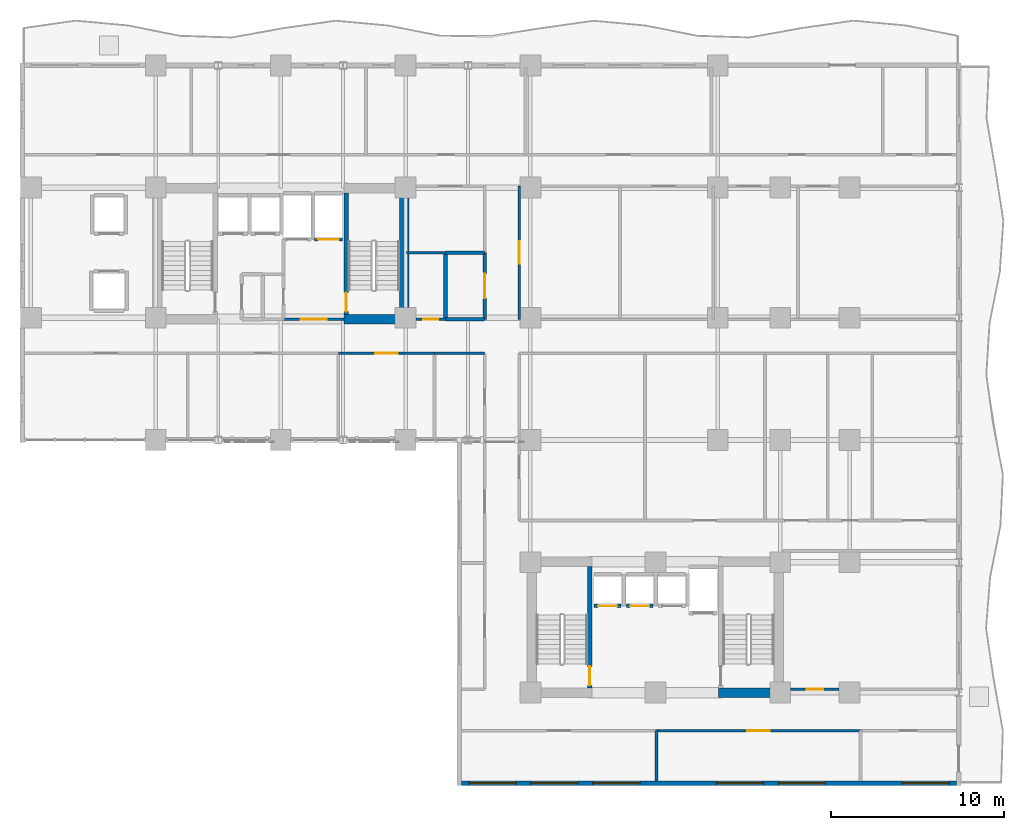
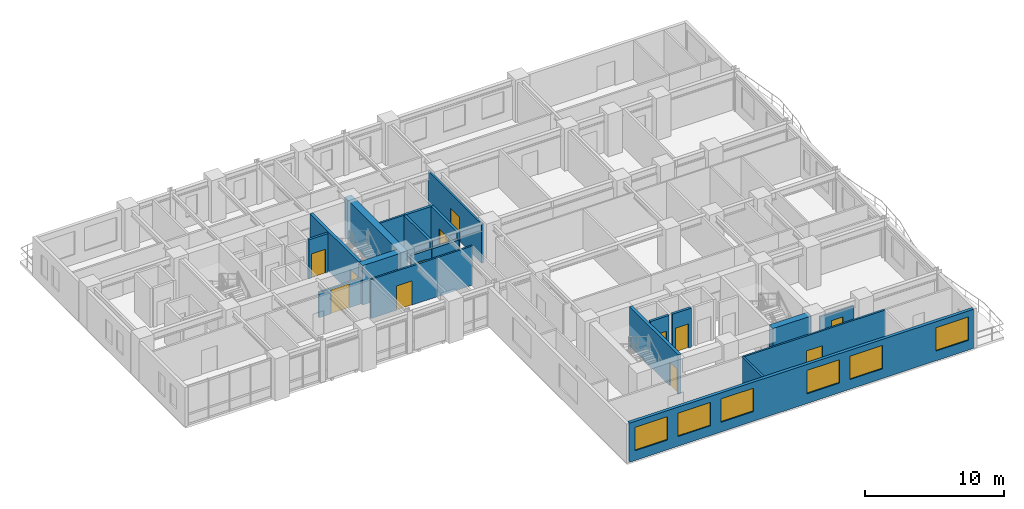
# One storey, part 9 of 16: 22 walls, 12 doors, 6 windows, 18 openings.
"""IFC4 building model written with IfcOpenShell, lengths in metres."""

from ifc_helpers import new_model, si_unit, direction, frame, frame_2d, origin, place, context, subcontext, project, spatial, rectangle, extrude, material, layer, layer_set, type_object, element, fill, save


model = new_model("IFC4")

# Units and contexts
model_context = context("Model", 3, precision=1e-05, world=origin(), true_north=direction((0.0, 1.0)))
body_context = subcontext(model_context, "Body", "Model", "MODEL_VIEW")
ifc_project = project(units=[si_unit("LENGTHUNIT", "METRE"), si_unit("AREAUNIT", "SQUARE_METRE"), si_unit("VOLUMEUNIT", "CUBIC_METRE"), si_unit("PLANEANGLEUNIT", "RADIAN"), si_unit("MASSUNIT", "GRAM", prefix="KILO")], contexts=[model_context])

# Site, building, storey
site_placement = place(None, origin())
site = spatial("IfcSite", under=ifc_project, at=site_placement, CompositionType="ELEMENT")
building_placement = place(site_placement, origin())
building = spatial("IfcBuilding", under=site, at=building_placement, Name="Kaliganga Portal Commons", CompositionType="ELEMENT")
storey_placement = place(building_placement, frame((0.0, 0.0, 82.300048828125)))
storey = spatial("IfcBuildingStorey", under=building, at=storey_placement, Name="L20", CompositionType="ELEMENT", Elevation=82.300048828125)

# Walls
ifc_material_1 = material(Name="Concrete C60/75", Category="concrete")
ifc_layer_1 = layer(ifc_material_1, 0.550048828125)
ifc_layer_set_1 = layer_set([ifc_layer_1], Name="Concrete C60/75")
wall_type_1 = type_object("IfcWallType", Name="WL-CORE-550", PredefinedType="SHEAR", material=ifc_layer_set_1)
wall_1_placement = place(storey_placement, frame((28.72509765625, 28.300048828125, 0.0), z_axis=(0.0, 0.0, 1.0), x_axis=(0.0, 1.0, 0.0)))
element("IfcWall", 1, at=wall_1_placement, inside=storey, type_object=wall_type_1, Name="Core A East Shear Wall L20", PredefinedType="SHEAR", context=body_context, shape_type="SweptSolid", body=[
    extrude(rectangle(XDim=8.099853515625, YDim=0.550048828125, at=frame_2d((4.0498046875, 0.0))), origin(), (0.0, 0.0, 1.0), 3.449951171875),
])
for number, where, z_axis, x_axis, name in (
    (2, (25.25, 28.574951171875, 0.0), (0.0, 0.0, 1.0), (1.0, 0.0, 0.0), "Core A S-East Shear Wall L20"),
    (3, (46.85009765625, 7.02490234375, 0.0), (0.0, 0.0, 1.0), (1.0, 0.0, 0.0), "Core B S-East Shear Wall L20"),
):
    element("IfcWall", number, at=place(storey_placement, frame(where, z_axis=z_axis, x_axis=x_axis)), inside=storey, type_object=wall_type_1, Name=name, PredefinedType="SHEAR", context=body_context, shape_type="SweptSolid", body=[
        extrude(rectangle(XDim=3.199951171875, YDim=0.550048828125, at=frame_2d((1.60009765625, 0.0))), origin(), (0.0, 0.0, 1.0), 3.449951171875),
    ])

# Wall, openings, windows
ifc_material_2 = material(Name="Insulated Aluminium-Clad Spandrel Assembly", Category="aluminium")
ifc_layer_2 = layer(ifc_material_2, 0.260009765625)
ifc_layer_set_2 = layer_set([ifc_layer_2], Name="Insulated Aluminium-Clad Spandrel Assembly")
wall_type_2 = type_object("IfcWallType", Name="WL-EXT-SPAND-260", PredefinedType="STANDARD", material=ifc_layer_set_2)
wall_2_placement = place(storey_placement, frame((60.56494140625, 1.800048828125, 0.0), z_axis=(0.0, 0.0, 1.0), x_axis=(-1.0, 0.0, 0.0)))
wall_2 = element("IfcWall", 4, at=wall_2_placement, inside=storey, type_object=wall_type_2, Name="Exterior Envelope Wall L20 P1-E00-S1", PredefinedType="STANDARD", context=body_context, shape_type="SweptSolid", body=[
    extrude(rectangle(XDim=28.530029296875, YDim=0.260009765625, at=frame_2d((14.26513671875, 0.0))), origin(), (0.0, 0.0, 1.0), 3.429931640625),
])
opening_1_placement = place(wall_2_placement, frame((0.43310546875, 0.0, 0.85009765625)))
opening_1 = element("IfcOpeningElement", 5, at=opening_1_placement, cuts=wall_2, Name="Opening W-07", PredefinedType="OPENING", context=body_context, shape_type="SweptSolid", body=[
    extrude(rectangle(XDim=2.699951171875, YDim=2.050048828125, at=frame_2d((1.35009765625, 1.02490234375))), frame((0.0, 0.14013671875, 0.0), z_axis=(0.0, -1.0, 0.0), x_axis=(1.0, 0.0, 0.0)), (0.0, 0.0, 1.0), 0.280029296875),
])
opening_2_placement = place(wall_2_placement, frame((7.565673828125, 0.0, 0.85009765625)))
opening_2 = element("IfcOpeningElement", 6, at=opening_2_placement, cuts=wall_2, Name="Opening W-07", PredefinedType="OPENING", context=body_context, shape_type="SweptSolid", body=[
    extrude(rectangle(XDim=2.699951171875, YDim=2.050048828125, at=frame_2d((1.35009765625, 1.02490234375))), frame((0.0, 0.14013671875, 0.0), z_axis=(0.0, -1.0, 0.0), x_axis=(1.0, 0.0, 0.0)), (0.0, 0.0, 1.0), 0.280029296875),
])
opening_3_placement = place(wall_2_placement, frame((11.1318359375, 0.0, 0.85009765625)))
opening_3 = element("IfcOpeningElement", 7, at=opening_3_placement, cuts=wall_2, Name="Opening W-07", PredefinedType="OPENING", context=body_context, shape_type="SweptSolid", body=[
    extrude(rectangle(XDim=2.699951171875, YDim=2.050048828125, at=frame_2d((1.35009765625, 1.02490234375))), frame((0.0, 0.14013671875, 0.0), z_axis=(0.0, -1.0, 0.0), x_axis=(1.0, 0.0, 0.0)), (0.0, 0.0, 1.0), 0.280029296875),
])
opening_4_placement = place(wall_2_placement, frame((18.264404296875, 0.0, 0.85009765625)))
opening_4 = element("IfcOpeningElement", 8, at=opening_4_placement, cuts=wall_2, Name="Opening W-07", PredefinedType="OPENING", context=body_context, shape_type="SweptSolid", body=[
    extrude(rectangle(XDim=2.699951171875, YDim=2.050048828125, at=frame_2d((1.35009765625, 1.02490234375))), frame((0.0, 0.14013671875, 0.0), z_axis=(0.0, -1.0, 0.0), x_axis=(1.0, 0.0, 0.0)), (0.0, 0.0, 1.0), 0.280029296875),
])
opening_5_placement = place(wall_2_placement, frame((21.83056640625, 0.0, 0.85009765625)))
opening_5 = element("IfcOpeningElement", 9, at=opening_5_placement, cuts=wall_2, Name="Opening W-07", PredefinedType="OPENING", context=body_context, shape_type="SweptSolid", body=[
    extrude(rectangle(XDim=2.699951171875, YDim=2.050048828125, at=frame_2d((1.35009765625, 1.02490234375))), frame((0.0, 0.14013671875, 0.0), z_axis=(0.0, -1.0, 0.0), x_axis=(1.0, 0.0, 0.0)), (0.0, 0.0, 1.0), 0.280029296875),
])
opening_6_placement = place(wall_2_placement, frame((25.39697265625, 0.0, 0.85009765625)))
opening_6 = element("IfcOpeningElement", 10, at=opening_6_placement, cuts=wall_2, Name="Opening W-07", PredefinedType="OPENING", context=body_context, shape_type="SweptSolid", body=[
    extrude(rectangle(XDim=2.699951171875, YDim=2.050048828125, at=frame_2d((1.35009765625, 1.02490234375))), frame((0.0, 0.14013671875, 0.0), z_axis=(0.0, -1.0, 0.0), x_axis=(1.0, 0.0, 0.0)), (0.0, 0.0, 1.0), 0.280029296875),
])
ifc_material_3 = material(Name="Thermally Broken Aluminium and Low-E Double Glazing", Category="aluminium")
window_type = type_object("IfcWindowType", Name="WIN-LOUNGE-2700", PartitioningType="TRIPLE_PANEL_VERTICAL", PredefinedType="WINDOW", material=ifc_material_3)
window_1_placement = place(opening_1_placement, origin())
window_1 = element("IfcWindow", 11, at=window_1_placement, inside=storey, type_object=window_type, Name="Facade Window L20-P1E00S1-00", OverallHeight=2.050048828125, OverallWidth=2.699951171875, PartitioningType="SINGLE_PANEL", PredefinedType="WINDOW", context=body_context, shape_type="SweptSolid", body=[
    extrude(rectangle(XDim=2.699951171875, YDim=2.050048828125, at=frame_2d((1.35009765625, 1.02490234375))), frame((0.0, 0.030029296875, 0.0), z_axis=(0.0, -1.0, 0.0), x_axis=(1.0, 0.0, 0.0)), (0.0, 0.0, 1.0), 0.06005859375),
])
fill(opening_1, window_1)
window_2_placement = place(opening_2_placement, origin())
window_2 = element("IfcWindow", 12, at=window_2_placement, inside=storey, type_object=window_type, Name="Facade Window L20-P1E00S1-02", OverallHeight=2.050048828125, OverallWidth=2.699951171875, PartitioningType="SINGLE_PANEL", PredefinedType="WINDOW", context=body_context, shape_type="SweptSolid", body=[
    extrude(rectangle(XDim=2.699951171875, YDim=2.050048828125, at=frame_2d((1.35009765625, 1.02490234375))), frame((0.0, 0.030029296875, 0.0), z_axis=(0.0, -1.0, 0.0), x_axis=(1.0, 0.0, 0.0)), (0.0, 0.0, 1.0), 0.06005859375),
])
fill(opening_2, window_2)
window_3_placement = place(opening_3_placement, origin())
window_3 = element("IfcWindow", 13, at=window_3_placement, inside=storey, type_object=window_type, Name="Facade Window L20-P1E00S1-03", OverallHeight=2.050048828125, OverallWidth=2.699951171875, PartitioningType="SINGLE_PANEL", PredefinedType="WINDOW", context=body_context, shape_type="SweptSolid", body=[
    extrude(rectangle(XDim=2.699951171875, YDim=2.050048828125, at=frame_2d((1.35009765625, 1.02490234375))), frame((0.0, 0.030029296875, 0.0), z_axis=(0.0, -1.0, 0.0), x_axis=(1.0, 0.0, 0.0)), (0.0, 0.0, 1.0), 0.06005859375),
])
fill(opening_3, window_3)
window_4_placement = place(opening_4_placement, origin())
window_4 = element("IfcWindow", 14, at=window_4_placement, inside=storey, type_object=window_type, Name="Facade Window L20-P1E00S1-05", OverallHeight=2.050048828125, OverallWidth=2.699951171875, PartitioningType="SINGLE_PANEL", PredefinedType="WINDOW", context=body_context, shape_type="SweptSolid", body=[
    extrude(rectangle(XDim=2.699951171875, YDim=2.050048828125, at=frame_2d((1.35009765625, 1.02490234375))), frame((0.0, 0.030029296875, 0.0), z_axis=(0.0, -1.0, 0.0), x_axis=(1.0, 0.0, 0.0)), (0.0, 0.0, 1.0), 0.06005859375),
])
fill(opening_4, window_4)
window_5_placement = place(opening_5_placement, origin())
window_5 = element("IfcWindow", 15, at=window_5_placement, inside=storey, type_object=window_type, Name="Facade Window L20-P1E00S1-06", OverallHeight=2.050048828125, OverallWidth=2.699951171875, PartitioningType="SINGLE_PANEL", PredefinedType="WINDOW", context=body_context, shape_type="SweptSolid", body=[
    extrude(rectangle(XDim=2.699951171875, YDim=2.050048828125, at=frame_2d((1.35009765625, 1.02490234375))), frame((0.0, 0.030029296875, 0.0), z_axis=(0.0, -1.0, 0.0), x_axis=(1.0, 0.0, 0.0)), (0.0, 0.0, 1.0), 0.06005859375),
])
fill(opening_5, window_5)
window_6_placement = place(opening_6_placement, origin())
window_6 = element("IfcWindow", 16, at=window_6_placement, inside=storey, type_object=window_type, Name="Facade Window L20-P1E00S1-07", OverallHeight=2.050048828125, OverallWidth=2.699951171875, PartitioningType="SINGLE_PANEL", PredefinedType="WINDOW", context=body_context, shape_type="SweptSolid", body=[
    extrude(rectangle(XDim=2.699951171875, YDim=2.050048828125, at=frame_2d((1.35009765625, 1.02490234375))), frame((0.0, 0.030029296875, 0.0), z_axis=(0.0, -1.0, 0.0), x_axis=(1.0, 0.0, 0.0)), (0.0, 0.0, 1.0), 0.06005859375),
])
fill(opening_6, window_6)

# Wall, opening, door
ifc_material_4 = material(Name="Fire-Rated Gypsum Board on Steel Stud", Category="steel")
ifc_layer_3 = layer(ifc_material_4, 0.14990234375)
ifc_layer_set_3 = layer_set([ifc_layer_3], Name="Fire-Rated Gypsum Board on Steel Stud")
wall_type_3 = type_object("IfcWallType", Name="WL-PART-CORR-150", PredefinedType="PARTITIONING", material=ifc_layer_set_3)
wall_3_placement = place(storey_placement, frame((43.260009765625, 4.840087890625, 0.0), z_axis=(0.0, 0.0, 1.0), x_axis=(1.0, 0.0, 0.0)))
wall_3 = element("IfcWall", 17, at=wall_3_placement, inside=storey, type_object=wall_type_3, Name="Interior Partition L20-001", PredefinedType="PARTITIONING", context=body_context, shape_type="SweptSolid", body=[
    extrude(rectangle(XDim=11.760009765625, YDim=0.14990234375, at=frame_2d((5.8798828125, 0.0))), origin(), (0.0, 0.0, 1.0), 3.429931640625),
])
opening_7_placement = place(wall_3_placement, frame((5.22998046875, 0.0, 0.0)))
opening_7 = element("IfcOpeningElement", 18, at=opening_7_placement, cuts=wall_3, Name="Opening RD-03", PredefinedType="OPENING", context=body_context, shape_type="SweptSolid", body=[
    extrude(rectangle(XDim=1.300048828125, YDim=2.1201171875, at=frame_2d((0.64990234375, 1.06005859375))), frame((0.0, 0.0849609375, 0.0), z_axis=(0.0, -1.0, 0.0), x_axis=(1.0, 0.0, 0.0)), (0.0, 0.0, 1.0), 0.169921875),
])
ifc_material_5 = material(Name="Glazed Timber Seminar Vision Door", Category="wood")
door_type_1 = type_object("IfcDoorType", Name="DR-STUDY-1300", OperationType="DOUBLE_DOOR_SINGLE_SWING", PredefinedType="DOOR", material=ifc_material_5)
door_1_placement = place(opening_7_placement, origin())
door_1 = element("IfcDoor", 19, at=door_1_placement, inside=storey, type_object=door_type_1, Name="Interior Door L20-BS02", OperationType="DOUBLE_DOOR_SINGLE_SWING", OverallHeight=2.1201171875, OverallWidth=1.300048828125, PredefinedType="DOOR", context=body_context, shape_type="SweptSolid", body=[
    extrude(rectangle(XDim=1.300048828125, YDim=2.1201171875, at=frame_2d((0.64990234375, 1.06005859375))), frame((0.0, 0.02490234375, 0.0), z_axis=(0.0, -1.0, 0.0), x_axis=(1.0, 0.0, 0.0)), (0.0, 0.0, 1.0), 0.050048828125),
])
fill(opening_7, door_1)

wall_4_placement = place(storey_placement, frame((51.0, 7.239990234375, 0.0), z_axis=(0.0, 0.0, 1.0), x_axis=(1.0, 0.0, 0.0)))
wall_4 = element("IfcWall", 20, at=wall_4_placement, inside=storey, type_object=wall_type_3, Name="Interior Partition L20-004", PredefinedType="PARTITIONING", context=body_context, shape_type="SweptSolid", body=[
    extrude(rectangle(XDim=2.800048828125, YDim=0.14990234375, at=frame_2d((1.39990234375, 0.0))), origin(), (0.0, 0.0, 1.0), 2.780029296875),
])
opening_8_placement = place(wall_4_placement, frame((0.925048828125, 0.0, 0.0)))
opening_8 = element("IfcOpeningElement", 21, at=opening_8_placement, cuts=wall_4, Name="Opening UD-01", PredefinedType="OPENING", context=body_context, shape_type="SweptSolid", body=[
    extrude(rectangle(XDim=0.949951171875, YDim=2.10009765625, at=frame_2d((0.47509765625, 1.050048828125))), frame((0.0, 0.0849609375, 0.0), z_axis=(0.0, -1.0, 0.0), x_axis=(1.0, 0.0, 0.0)), (0.0, 0.0, 1.0), 0.169921875),
])
ifc_material_6 = material(Name="Solid-Core Timber Acoustic Fire Door", Category="wood")
door_type_2 = type_object("IfcDoorType", Name="DR-UNIT-950", OperationType="NOTDEFINED", PredefinedType="DOOR", material=ifc_material_6)
door_2_placement = place(opening_8_placement, origin())
door_2 = element("IfcDoor", 22, at=door_2_placement, inside=storey, type_object=door_type_2, Name="Interior Door L20-BE01", OperationType="SINGLE_SWING_LEFT", OverallHeight=2.10009765625, OverallWidth=0.949951171875, PredefinedType="DOOR", context=body_context, shape_type="SweptSolid", body=[
    extrude(rectangle(XDim=0.949951171875, YDim=2.10009765625, at=frame_2d((0.47509765625, 1.050048828125))), frame((0.0, 0.02490234375, 0.0), z_axis=(0.0, -1.0, 0.0), x_axis=(1.0, 0.0, 0.0)), (0.0, 0.0, 1.0), 0.050048828125),
])
fill(opening_8, door_2)

wall_5_placement = place(storey_placement, frame((35.360107421875, 28.56005859375, 0.0), z_axis=(0.0, 0.0, 1.0), x_axis=(0.0, 1.0, 0.0)))
wall_5 = element("IfcWall", 23, at=wall_5_placement, inside=storey, type_object=wall_type_3, Name="Interior Partition L20-016", PredefinedType="PARTITIONING", context=body_context, shape_type="SweptSolid", body=[
    extrude(rectangle(XDim=7.679931640625, YDim=0.14990234375, at=frame_2d((3.83984375, 0.0))), origin(), (0.0, 0.0, 1.0), 3.429931640625),
])
opening_9_placement = place(wall_5_placement, frame((3.18994140625, 0.0, 0.0)))
opening_9 = element("IfcOpeningElement", 24, at=opening_9_placement, cuts=wall_5, Name="Opening RD-03", PredefinedType="OPENING", context=body_context, shape_type="SweptSolid", body=[
    extrude(rectangle(XDim=1.300048828125, YDim=2.1201171875, at=frame_2d((0.64990234375, 1.06005859375))), frame((0.0, 0.0849609375, 0.0), z_axis=(0.0, -1.0, 0.0), x_axis=(1.0, 0.0, 0.0)), (0.0, 0.0, 1.0), 0.169921875),
])
door_3_placement = place(opening_9_placement, origin())
door_3 = element("IfcDoor", 25, at=door_3_placement, inside=storey, type_object=door_type_1, Name="Interior Door L20-BK01", OperationType="DOUBLE_DOOR_SINGLE_SWING", OverallHeight=2.1201171875, OverallWidth=1.300048828125, PredefinedType="DOOR", context=body_context, shape_type="SweptSolid", body=[
    extrude(rectangle(XDim=1.300048828125, YDim=2.1201171875, at=frame_2d((0.64990234375, 1.06005859375))), frame((0.0, 0.02490234375, 0.0), z_axis=(0.0, -1.0, 0.0), x_axis=(1.0, 0.0, 0.0)), (0.0, 0.0, 1.0), 0.050048828125),
])
fill(opening_9, door_3)

wall_6_placement = place(storey_placement, frame((24.919921875, 26.60009765625, 0.0), z_axis=(0.0, 0.0, 1.0), x_axis=(1.0, 0.0, 0.0)))
wall_6 = element("IfcWall", 26, at=wall_6_placement, inside=storey, type_object=wall_type_3, Name="Interior Partition L20-023", PredefinedType="PARTITIONING", context=body_context, shape_type="SweptSolid", body=[
    extrude(rectangle(XDim=5.5400390625, YDim=0.14990234375, at=frame_2d((2.77001953125, 0.0))), origin(), (0.0, 0.0, 1.0), 3.429931640625),
])
opening_10_placement = place(wall_6_placement, frame((2.1201171875, 0.0, 0.0)))
opening_10 = element("IfcOpeningElement", 27, at=opening_10_placement, cuts=wall_6, Name="Opening RD-03", PredefinedType="OPENING", context=body_context, shape_type="SweptSolid", body=[
    extrude(rectangle(XDim=1.300048828125, YDim=2.1201171875, at=frame_2d((0.64990234375, 1.06005859375))), frame((0.0, 0.0849609375, 0.0), z_axis=(0.0, -1.0, 0.0), x_axis=(1.0, 0.0, 0.0)), (0.0, 0.0, 1.0), 0.169921875),
])
door_4_placement = place(opening_10_placement, origin())
door_4 = element("IfcDoor", 28, at=door_4_placement, inside=storey, type_object=door_type_1, Name="Interior Door L20-AS03", OperationType="DOUBLE_DOOR_SINGLE_SWING", OverallHeight=2.1201171875, OverallWidth=1.300048828125, PredefinedType="DOOR", context=body_context, shape_type="SweptSolid", body=[
    extrude(rectangle(XDim=1.300048828125, YDim=2.1201171875, at=frame_2d((0.64990234375, 1.06005859375))), frame((0.0, 0.02490234375, 0.0), z_axis=(0.0, -1.0, 0.0), x_axis=(1.0, 0.0, 0.0)), (0.0, 0.0, 1.0), 0.050048828125),
])
fill(opening_10, door_4)

# Wall
wall_7_placement = place(storey_placement, frame((30.4599609375, 26.60009765625, 0.0), z_axis=(0.0, 0.0, 1.0), x_axis=(1.0, 0.0, 0.0)))
element("IfcWall", 29, at=wall_7_placement, inside=storey, type_object=wall_type_3, Name="Interior Partition L20-033", PredefinedType="PARTITIONING", context=body_context, shape_type="SweptSolid", body=[
    extrude(rectangle(XDim=2.900146484375, YDim=0.14990234375, at=frame_2d((1.4501953125, 0.0))), origin(), (0.0, 0.0, 1.0), 3.429931640625),
])

# Wall, opening, door
wall_8_placement = place(storey_placement, frame((29.39990234375, 28.56005859375, 0.0), z_axis=(0.0, 0.0, 1.0), x_axis=(1.0, 0.0, 0.0)))
wall_8 = element("IfcWall", 30, at=wall_8_placement, inside=storey, type_object=wall_type_3, Name="Interior Partition L20-038", PredefinedType="PARTITIONING", context=body_context, shape_type="SweptSolid", body=[
    extrude(rectangle(XDim=1.7001953125, YDim=0.14990234375, at=frame_2d((0.85009765625, 0.0))), origin(), (0.0, 0.0, 1.0), 2.780029296875),
])
opening_11_placement = place(wall_8_placement, frame((0.419921875, 0.0, 0.0)))
opening_11 = element("IfcOpeningElement", 31, at=opening_11_placement, cuts=wall_8, Name="Opening WD-02", PredefinedType="OPENING", context=body_context, shape_type="SweptSolid", body=[
    extrude(rectangle(XDim=0.860107421875, YDim=2.02001953125, at=frame_2d((0.43017578125, 1.010009765625))), frame((0.0, 0.0849609375, 0.0), z_axis=(0.0, -1.0, 0.0), x_axis=(1.0, 0.0, 0.0)), (0.0, 0.0, 1.0), 0.169921875),
])
ifc_material_7 = material(Name="Fire-Rated Utility Closet Door", Category="wood")
door_type_3 = type_object("IfcDoorType", Name="DR-STORE-800", OperationType="NOTDEFINED", PredefinedType="DOOR", material=ifc_material_7)
door_5_placement = place(opening_11_placement, origin())
door_5 = element("IfcDoor", 32, at=door_5_placement, inside=storey, type_object=door_type_3, Name="Interior Door L20-CSRV_A1", OperationType="SINGLE_SWING_LEFT", OverallHeight=2.02001953125, OverallWidth=0.860107421875, PredefinedType="DOOR", context=body_context, shape_type="SweptSolid", body=[
    extrude(rectangle(XDim=0.860107421875, YDim=2.02001953125, at=frame_2d((0.43017578125, 1.010009765625))), frame((0.0, 0.02490234375, 0.0), z_axis=(0.0, -1.0, 0.0), x_axis=(1.0, 0.0, 0.0)), (0.0, 0.0, 1.0), 0.050048828125),
])
fill(opening_11, door_5)

wall_9_placement = place(storey_placement, frame((21.760009765625, 28.56005859375, 0.0), z_axis=(0.0, 0.0, 1.0), x_axis=(1.0, 0.0, 0.0)))
wall_9 = element("IfcWall", 33, at=wall_9_placement, inside=storey, type_object=wall_type_3, Name="Interior Partition L20-073", PredefinedType="PARTITIONING", context=body_context, shape_type="SweptSolid", body=[
    extrude(rectangle(XDim=3.47998046875, YDim=0.14990234375, at=frame_2d((1.739990234375, 0.0))), origin(), (0.0, 0.0, 1.0), 2.22998046875),
])
opening_12_placement = place(wall_9_placement, frame((0.989990234375, 0.0, 0.0)))
opening_12 = element("IfcOpeningElement", 34, at=opening_12_placement, cuts=wall_9, Name="Opening FD-01", PredefinedType="OPENING", context=body_context, shape_type="SweptSolid", body=[
    extrude(rectangle(XDim=1.5, YDim=2.10009765625, at=frame_2d((0.75, 1.050048828125))), frame((0.0, 0.0849609375, 0.0), z_axis=(0.0, -1.0, 0.0), x_axis=(1.0, 0.0, 0.0)), (0.0, 0.0, 1.0), 0.169921875),
])
ifc_material_8 = material(Name="Fire-Rated Hardwood and Georgian-Wired Vision Panel", Category="wood")
door_type_4 = type_object("IfcDoorType", Name="DR-LOBBY-1500", OperationType="DOUBLE_DOOR_SINGLE_SWING", PredefinedType="DOOR", material=ifc_material_8)
door_6_placement = place(opening_12_placement, origin())
door_6 = element("IfcDoor", 35, at=door_6_placement, inside=storey, type_object=door_type_4, Name="Interior Door L20-FFLOB_A", OperationType="DOUBLE_DOOR_SINGLE_SWING", OverallHeight=2.10009765625, OverallWidth=1.5, PredefinedType="DOOR", context=body_context, shape_type="SweptSolid", body=[
    extrude(rectangle(XDim=1.5, YDim=2.10009765625, at=frame_2d((0.75, 1.050048828125))), frame((0.0, 0.02490234375, 0.0), z_axis=(0.0, -1.0, 0.0), x_axis=(1.0, 0.0, 0.0)), (0.0, 0.0, 1.0), 0.050048828125),
])
fill(opening_12, door_6)

ifc_material_9 = material(Name="Lightweight blockwork masonry", Category="masonry")
ifc_layer_4 = layer(ifc_material_9, 0.215087890625)
ifc_layer_set_4 = layer_set([ifc_layer_4], Name="Lightweight blockwork masonry")
wall_type_4 = type_object("IfcWallType", Name="WL-PART-PLANT-215", PredefinedType="PARTITIONING", material=ifc_layer_set_4)
wall_10_placement = place(storey_placement, frame((33.360107421875, 28.56005859375, 0.0), z_axis=(0.0, 0.0, 1.0), x_axis=(0.0, 1.0, 0.0)))
wall_10 = element("IfcWall", 36, at=wall_10_placement, inside=storey, type_object=wall_type_4, Name="Interior Partition L20-031", PredefinedType="PARTITIONING", context=body_context, shape_type="SweptSolid", body=[
    extrude(rectangle(XDim=3.83984375, YDim=0.215087890625, at=frame_2d((1.919921875, 0.0))), origin(), (0.0, 0.0, 1.0), 3.429931640625),
])
opening_13_placement = place(wall_10_placement, frame((1.219970703125, 0.0, 0.0)))
opening_13 = element("IfcOpeningElement", 37, at=opening_13_placement, cuts=wall_10, Name="Opening PD-01", PredefinedType="OPENING", context=body_context, shape_type="SweptSolid", body=[
    extrude(rectangle(XDim=1.39990234375, YDim=2.14990234375, at=frame_2d((0.699951171875, 1.074951171875))), frame((0.0, 0.11767578125, 0.0), z_axis=(0.0, -1.0, 0.0), x_axis=(1.0, 0.0, 0.0)), (0.0, 0.0, 1.0), 0.235107421875),
])
ifc_material_10 = material(Name="Heavy-Duty Steel Acoustic Louvre Fire Door", Category="steel")
door_type_5 = type_object("IfcDoorType", Name="DR-PLANT-1400", OperationType="DOUBLE_DOOR_SINGLE_SWING", PredefinedType="DOOR", material=ifc_material_10)
door_7_placement = place(opening_13_placement, origin())
door_7 = element("IfcDoor", 38, at=door_7_placement, inside=storey, type_object=door_type_5, Name="Interior Door L20-CSRV_A3", OperationType="DOUBLE_DOOR_SINGLE_SWING", OverallHeight=2.14990234375, OverallWidth=1.39990234375, PredefinedType="DOOR", context=body_context, shape_type="SweptSolid", body=[
    extrude(rectangle(XDim=1.39990234375, YDim=2.14990234375, at=frame_2d((0.699951171875, 1.074951171875))), frame((0.0, 0.02490234375, 0.0), z_axis=(0.0, -1.0, 0.0), x_axis=(1.0, 0.0, 0.0)), (0.0, 0.0, 1.0), 0.050048828125),
])
fill(opening_13, door_7)

# Walls
wall_11_placement = place(storey_placement, frame((31.10009765625, 28.56005859375, 0.0), z_axis=(0.0, 0.0, 1.0), x_axis=(1.0, 0.0, 0.0)))
element("IfcWall", 39, at=wall_11_placement, inside=storey, type_object=wall_type_4, Name="Interior Partition L20-039", PredefinedType="PARTITIONING", context=body_context, shape_type="SweptSolid", body=[
    extrude(rectangle(XDim=2.260009765625, YDim=0.215087890625, at=frame_2d((1.1298828125, 0.0))), origin(), (0.0, 0.0, 1.0), 2.780029296875),
])
wall_12_placement = place(storey_placement, frame((31.10009765625, 28.56005859375, 0.0), z_axis=(0.0, 0.0, 1.0), x_axis=(0.0, 1.0, 0.0)))
element("IfcWall", 40, at=wall_12_placement, inside=storey, type_object=wall_type_4, Name="Interior Partition L20-071", PredefinedType="PARTITIONING", context=body_context, shape_type="SweptSolid", body=[
    extrude(rectangle(XDim=3.83984375, YDim=0.215087890625, at=frame_2d((1.919921875, 0.0))), origin(), (0.0, 0.0, 1.0), 3.429931640625),
])
wall_13_placement = place(storey_placement, frame((31.10009765625, 32.39990234375, 0.0), z_axis=(0.0, 0.0, 1.0), x_axis=(1.0, 0.0, 0.0)))
element("IfcWall", 41, at=wall_13_placement, inside=storey, type_object=wall_type_4, Name="Interior Partition L20-079", PredefinedType="PARTITIONING", context=body_context, shape_type="SweptSolid", body=[
    extrude(rectangle(XDim=2.260009765625, YDim=0.215087890625, at=frame_2d((1.1298828125, 0.0))), origin(), (0.0, 0.0, 1.0), 3.429931640625),
])
ifc_material_11 = material(Name="Twin-Stud Acoustic Gypsum Partition", Category="gypsum")
ifc_layer_5 = layer(ifc_material_11, 0.1650390625)
ifc_layer_set_5 = layer_set([ifc_layer_5], Name="Twin-Stud Acoustic Gypsum Partition")
wall_type_5 = type_object("IfcWallType", Name="WL-PART-UNIT-165", PredefinedType="PARTITIONING", material=ifc_layer_set_5)
wall_14_placement = place(storey_placement, frame((43.260009765625, 1.931884765625, 0.0), z_axis=(0.0, 0.0, 1.0), x_axis=(0.0, 1.0, 0.0)))
element("IfcWall", 42, at=wall_14_placement, inside=storey, type_object=wall_type_5, Name="Interior Partition L20-074", PredefinedType="PARTITIONING", context=body_context, shape_type="SweptSolid", body=[
    extrude(rectangle(XDim=2.908203125, YDim=0.1650390625, at=frame_2d((1.4541015625, 0.0))), origin(), (0.0, 0.0, 1.0), 3.429931640625),
])
wall_15_placement = place(storey_placement, frame((28.840087890625, 32.39990234375, 0.0), z_axis=(0.0, 0.0, 1.0), x_axis=(1.0, 0.0, 0.0)))
element("IfcWall", 43, at=wall_15_placement, inside=storey, type_object=wall_type_5, Name="Interior Partition L20-078", PredefinedType="PARTITIONING", context=body_context, shape_type="SweptSolid", body=[
    extrude(rectangle(XDim=2.260009765625, YDim=0.1650390625, at=frame_2d((1.1298828125, 0.0))), origin(), (0.0, 0.0, 1.0), 3.429931640625),
])

# Wall, opening, door
ifc_material_12 = material(Name="Fire-Rated Shaftwall Masonry Assembly", Category="masonry")
ifc_layer_6 = layer(ifc_material_12, 0.199951171875)
ifc_layer_set_6 = layer_set([ifc_layer_6], Name="Fire-Rated Shaftwall Masonry Assembly")
wall_type_6 = type_object("IfcWallType", Name="WL-SHAFT-200", PredefinedType="PARTITIONING", material=ifc_layer_set_6)
wall_16_placement = place(storey_placement, frame((23.550048828125, 33.159912109375, 0.0), z_axis=(0.0, 0.0, 1.0), x_axis=(1.0, 0.0, 0.0)))
wall_16 = element("IfcWall", 44, at=wall_16_placement, inside=storey, type_object=wall_type_6, Name="Lift FFL-2 Hoistway Shaft Wall L20-S", PredefinedType="PARTITIONING", context=body_context, shape_type="SweptSolid", body=[
    extrude(rectangle(XDim=1.599853515625, YDim=0.199951171875, at=frame_2d((0.7998046875, 0.0))), origin(), (0.0, 0.0, 1.0), 3.429931640625),
])
opening_14_placement = place(wall_16_placement, frame((0.199951171875, 0.0, 0.0)))
opening_14 = element("IfcOpeningElement", 45, at=opening_14_placement, cuts=wall_16, Name="Opening LD-02", PredefinedType="OPENING", context=body_context, shape_type="SweptSolid", body=[
    extrude(rectangle(XDim=1.199951171875, YDim=2.1201171875, at=frame_2d((0.60009765625, 1.06005859375))), frame((0.0, 0.10986328125, 0.0), z_axis=(0.0, -1.0, 0.0), x_axis=(1.0, 0.0, 0.0)), (0.0, 0.0, 1.0), 0.219970703125),
])
ifc_material_13 = material(Name="Brushed Stainless Steel 316 Stretcher Lift Landing Door", Category="steel")
door_type_6 = type_object("IfcDoorType", Name="DR-LIFT-1200", OperationType="SLIDING_TO_RIGHT", PredefinedType="DOOR", material=ifc_material_13)
door_8_placement = place(opening_14_placement, origin())
door_8 = element("IfcDoor", 46, at=door_8_placement, inside=storey, type_object=door_type_6, Name="Lift FFL-2 Sliding Landing Door L20", OperationType="SLIDING_TO_RIGHT", OverallHeight=2.1201171875, OverallWidth=1.199951171875, PredefinedType="DOOR", context=body_context, shape_type="SweptSolid", body=[
    extrude(rectangle(XDim=1.199951171875, YDim=2.1201171875, at=frame_2d((0.60009765625, 1.06005859375))), frame((0.0, 0.02490234375, 0.0), z_axis=(0.0, -1.0, 0.0), x_axis=(1.0, 0.0, 0.0)), (0.0, 0.0, 1.0), 0.050048828125),
])
fill(opening_14, door_8)

wall_17_placement = place(storey_placement, frame((39.675048828125, 12.034912109375, 0.0), z_axis=(0.0, 0.0, 1.0), x_axis=(1.0, 0.0, 0.0)))
wall_17 = element("IfcWall", 47, at=wall_17_placement, inside=storey, type_object=wall_type_6, Name="Lift PL-B1 Hoistway Shaft Wall L20-S", PredefinedType="PARTITIONING", context=body_context, shape_type="SweptSolid", body=[
    extrude(rectangle(XDim=1.550048828125, YDim=0.199951171875, at=frame_2d((0.77490234375, 0.0))), origin(), (0.0, 0.0, 1.0), 3.429931640625),
])
opening_15_placement = place(wall_17_placement, frame((0.22509765625, 0.0, 0.0)))
opening_15 = element("IfcOpeningElement", 48, at=opening_15_placement, cuts=wall_17, Name="Opening LD-01", PredefinedType="OPENING", context=body_context, shape_type="SweptSolid", body=[
    extrude(rectangle(XDim=1.10009765625, YDim=2.1201171875, at=frame_2d((0.550048828125, 1.06005859375))), frame((0.0, 0.10986328125, 0.0), z_axis=(0.0, -1.0, 0.0), x_axis=(1.0, 0.0, 0.0)), (0.0, 0.0, 1.0), 0.219970703125),
])
ifc_material_14 = material(Name="Brushed Stainless Steel 316 Lift Landing Door", Category="steel")
door_type_7 = type_object("IfcDoorType", Name="DR-LIFT-1100", OperationType="SLIDING_TO_LEFT", PredefinedType="DOOR", material=ifc_material_14)
door_9_placement = place(opening_15_placement, origin())
door_9 = element("IfcDoor", 49, at=door_9_placement, inside=storey, type_object=door_type_7, Name="Lift PL-B1 Sliding Landing Door L20", OperationType="SLIDING_TO_LEFT", OverallHeight=2.1201171875, OverallWidth=1.10009765625, PredefinedType="DOOR", context=body_context, shape_type="SweptSolid", body=[
    extrude(rectangle(XDim=1.10009765625, YDim=2.1201171875, at=frame_2d((0.550048828125, 1.06005859375))), frame((0.0, 0.02490234375, 0.0), z_axis=(0.0, -1.0, 0.0), x_axis=(1.0, 0.0, 0.0)), (0.0, 0.0, 1.0), 0.050048828125),
])
fill(opening_15, door_9)

wall_18_placement = place(storey_placement, frame((41.52490234375, 12.034912109375, 0.0), z_axis=(0.0, 0.0, 1.0), x_axis=(1.0, 0.0, 0.0)))
wall_18 = element("IfcWall", 50, at=wall_18_placement, inside=storey, type_object=wall_type_6, Name="Lift PL-B2 Hoistway Shaft Wall L20-S", PredefinedType="PARTITIONING", context=body_context, shape_type="SweptSolid", body=[
    extrude(rectangle(XDim=1.550048828125, YDim=0.199951171875, at=frame_2d((0.77490234375, 0.0))), origin(), (0.0, 0.0, 1.0), 3.429931640625),
])
opening_16_placement = place(wall_18_placement, frame((0.22509765625, 0.0, 0.0)))
opening_16 = element("IfcOpeningElement", 51, at=opening_16_placement, cuts=wall_18, Name="Opening LD-01", PredefinedType="OPENING", context=body_context, shape_type="SweptSolid", body=[
    extrude(rectangle(XDim=1.10009765625, YDim=2.1201171875, at=frame_2d((0.550048828125, 1.06005859375))), frame((0.0, 0.10986328125, 0.0), z_axis=(0.0, -1.0, 0.0), x_axis=(1.0, 0.0, 0.0)), (0.0, 0.0, 1.0), 0.219970703125),
])
door_10_placement = place(opening_16_placement, origin())
door_10 = element("IfcDoor", 52, at=door_10_placement, inside=storey, type_object=door_type_7, Name="Lift PL-B2 Sliding Landing Door L20", OperationType="SLIDING_TO_LEFT", OverallHeight=2.1201171875, OverallWidth=1.10009765625, PredefinedType="DOOR", context=body_context, shape_type="SweptSolid", body=[
    extrude(rectangle(XDim=1.10009765625, YDim=2.1201171875, at=frame_2d((0.550048828125, 1.06005859375))), frame((0.0, 0.02490234375, 0.0), z_axis=(0.0, -1.0, 0.0), x_axis=(1.0, 0.0, 0.0)), (0.0, 0.0, 1.0), 0.050048828125),
])
fill(opening_16, door_10)

ifc_material_15 = material(Name="Concrete C50/60", Category="concrete")
ifc_layer_7 = layer(ifc_material_15, 0.25)
ifc_layer_set_7 = layer_set([ifc_layer_7], Name="Concrete C50/60")
wall_type_7 = type_object("IfcWallType", Name="WL-STAIR-250", PredefinedType="SHEAR", material=ifc_layer_set_7)
wall_19_placement = place(storey_placement, frame((25.375, 28.85009765625, 0.0), z_axis=(0.0, 0.0, 1.0), x_axis=(0.0, 1.0, 0.0)))
wall_19 = element("IfcWall", 53, at=wall_19_placement, inside=storey, type_object=wall_type_7, Name="Stair A2 Enclosure Shear Wall L20", PredefinedType="SHEAR", context=body_context, shape_type="SweptSolid", body=[
    extrude(rectangle(XDim=7.0, YDim=0.25, at=frame_2d((3.5, 0.0))), origin(), (0.0, 0.0, 1.0), 3.449951171875),
])
opening_17_placement = place(wall_19_placement, frame((0.14990234375, 0.0, 0.0)))
opening_17 = element("IfcOpeningElement", 54, at=opening_17_placement, cuts=wall_19, Name="Opening SD-01", PredefinedType="OPENING", context=body_context, shape_type="SweptSolid", body=[
    extrude(rectangle(XDim=1.10009765625, YDim=2.080078125, at=frame_2d((0.550048828125, 1.0400390625))), frame((0.0, 0.135009765625, 0.0), z_axis=(0.0, -1.0, 0.0), x_axis=(1.0, 0.0, 0.0)), (0.0, 0.0, 1.0), 0.27001953125),
])
ifc_material_16 = material(Name="Galvanized Steel Fire Door Leaf and Frame", Category="steel")
door_type_8 = type_object("IfcDoorType", Name="DR-STAIR-1100", OperationType="NOTDEFINED", PredefinedType="DOOR", material=ifc_material_16)
door_11_placement = place(opening_17_placement, origin())
door_11 = element("IfcDoor", 55, at=door_11_placement, inside=storey, type_object=door_type_8, Name="Protected Stair ST-A2 Fire Door L20", OperationType="SINGLE_SWING_LEFT", OverallHeight=2.080078125, OverallWidth=1.10009765625, PredefinedType="DOOR", context=body_context, shape_type="SweptSolid", body=[
    extrude(rectangle(XDim=1.10009765625, YDim=2.080078125, at=frame_2d((0.550048828125, 1.0400390625))), frame((0.0, 0.02490234375, 0.0), z_axis=(0.0, -1.0, 0.0), x_axis=(1.0, 0.0, 0.0)), (0.0, 0.0, 1.0), 0.050048828125),
])
fill(opening_17, door_11)

wall_20_placement = place(storey_placement, frame((39.425048828125, 7.300048828125, 0.0), z_axis=(0.0, 0.0, 1.0), x_axis=(0.0, 1.0, 0.0)))
wall_20 = element("IfcWall", 56, at=wall_20_placement, inside=storey, type_object=wall_type_7, Name="Stair B1 Enclosure Shear Wall L20", PredefinedType="SHEAR", context=body_context, shape_type="SweptSolid", body=[
    extrude(rectangle(XDim=7.0, YDim=0.25, at=frame_2d((3.5, 0.0))), origin(), (0.0, 0.0, 1.0), 3.449951171875),
])
opening_18_placement = place(wall_20_placement, frame((0.14990234375, 0.0, 0.0)))
opening_18 = element("IfcOpeningElement", 57, at=opening_18_placement, cuts=wall_20, Name="Opening SD-01", PredefinedType="OPENING", context=body_context, shape_type="SweptSolid", body=[
    extrude(rectangle(XDim=1.10009765625, YDim=2.080078125, at=frame_2d((0.550048828125, 1.0400390625))), frame((0.0, 0.135009765625, 0.0), z_axis=(0.0, -1.0, 0.0), x_axis=(1.0, 0.0, 0.0)), (0.0, 0.0, 1.0), 0.27001953125),
])
door_12_placement = place(opening_18_placement, origin())
door_12 = element("IfcDoor", 58, at=door_12_placement, inside=storey, type_object=door_type_8, Name="Protected Stair ST-B1 Fire Door L20", OperationType="SINGLE_SWING_RIGHT", OverallHeight=2.080078125, OverallWidth=1.10009765625, PredefinedType="DOOR", context=body_context, shape_type="SweptSolid", body=[
    extrude(rectangle(XDim=1.10009765625, YDim=2.080078125, at=frame_2d((0.550048828125, 1.0400390625))), frame((0.0, 0.02490234375, 0.0), z_axis=(0.0, -1.0, 0.0), x_axis=(1.0, 0.0, 0.0)), (0.0, 0.0, 1.0), 0.050048828125),
])
fill(opening_18, door_12)

save(model, "model.ifc")
